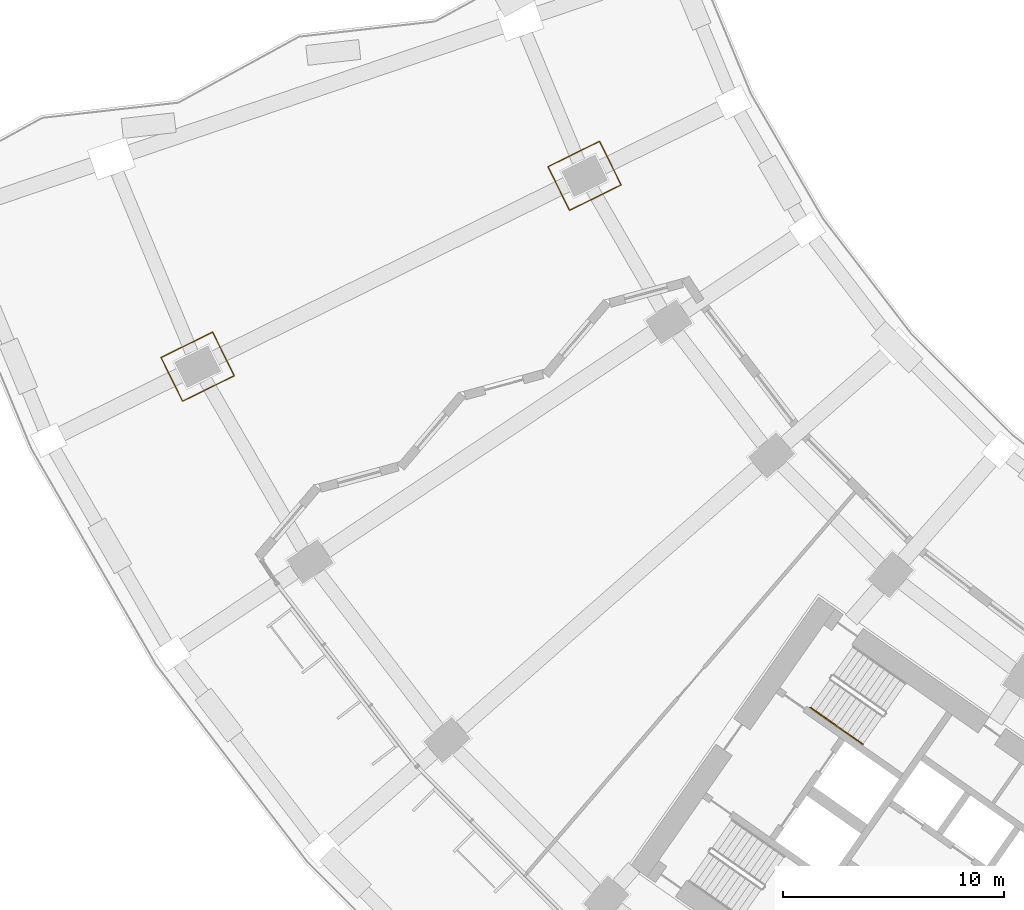
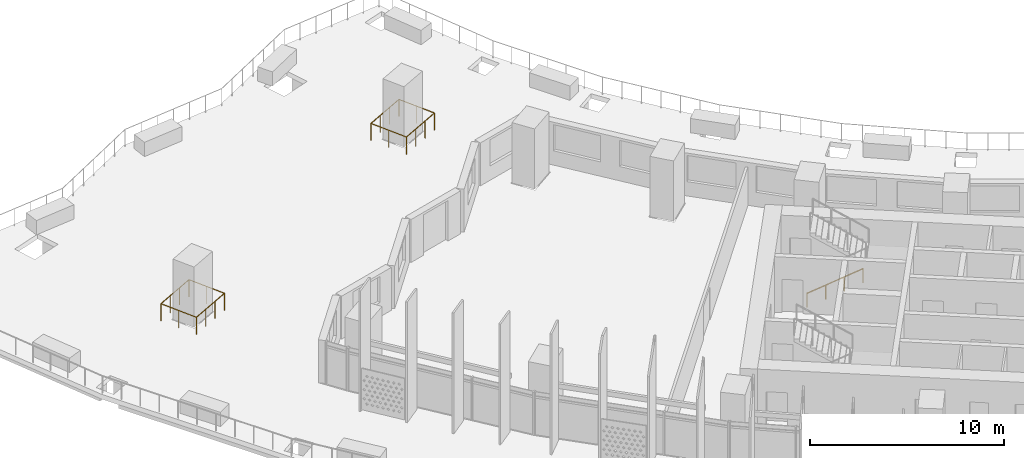
# One storey, part 27 of 35: 3 railings.
"""IFC4 building model written with IfcOpenShell, lengths in metres."""

from ifc_helpers import new_model, si_unit, direction, frame, origin, origin_2d, place, context, subcontext, project, spatial, circle, extrude, material, type_object, element, save


model = new_model("IFC4")

# Units and contexts
model_context = context("Model", 3, precision=1e-05, world=origin(), true_north=direction((0.0, 1.0)))
body_context = subcontext(model_context, "Body", "Model", "MODEL_VIEW")
ifc_project = project(units=[si_unit("LENGTHUNIT", "METRE"), si_unit("AREAUNIT", "SQUARE_METRE"), si_unit("VOLUMEUNIT", "CUBIC_METRE"), si_unit("PLANEANGLEUNIT", "RADIAN"), si_unit("MASSUNIT", "GRAM", prefix="KILO")], contexts=[model_context])

# Site, building, storey
site_placement = place(None, origin())
site = spatial("IfcSite", under=ifc_project, at=site_placement, CompositionType="ELEMENT")
building_placement = place(site_placement, origin())
building = spatial("IfcBuilding", under=site, at=building_placement, Name="Qamariyya Broadcast Tower", CompositionType="ELEMENT")
storey_placement = place(building_placement, frame((0.0, 0.0, 40.5)))
storey = spatial("IfcBuildingStorey", under=building, at=storey_placement, Name="L06", CompositionType="ELEMENT", Elevation=40.5)

# Railings
ifc_material_1 = material(Name="Stainless steel", Category="steel")
railing_type_1 = type_object("IfcRailingType", Name="Stair handrail", PredefinedType="HANDRAIL", material=ifc_material_1)
railing_1_placement = place(storey_placement, frame((-42.03564453125, -49.79443359375, 0.172607421875)))
element("IfcRailing", 1, at=railing_1_placement, inside=storey, type_object=railing_type_1, Name="L06 ST-W2 stair handrail 1", PredefinedType="HANDRAIL", context=body_context, shape_type="SweptSolid", body=[
    extrude(circle(Radius=0.02392578125, at=origin_2d()), frame((0.0, 0.0, 0.8759765625), z_axis=(0.703745009021, -0.492838488332, 0.511715923826), x_axis=(0.573631830683, 0.819113253969, 0.0)), (0.0, 0.0, 1.0), 3.37548828125),
    extrude(circle(Radius=0.02099609375, at=origin_2d()), origin(), (0.0, 0.0, 1.0), 0.851806640625),
    extrude(circle(Radius=0.02099609375, at=origin_2d()), frame((0.791748046875, -0.554443359375, 0.57568359375)), (0.0, 0.0, 1.0), 0.851806640625),
    extrude(circle(Radius=0.02099609375, at=origin_2d()), frame((1.583740234375, -1.109130859375, 1.151611328125)), (0.0, 0.0, 1.0), 0.851806640625),
    extrude(circle(Radius=0.02099609375, at=origin_2d()), frame((2.37548828125, -1.66357421875, 1.727294921875)), (0.0, 0.0, 1.0), 0.851806640625),
])
ifc_material_2 = material(Name="Stainless steel 316 with toughened glass infill", Category="steel")
railing_type_2 = type_object("IfcRailingType", Name="Terrace guard, glass and stainless steel", PredefinedType="GUARDRAIL", material=ifc_material_2)
railing_2_placement = place(storey_placement, frame((-70.411376953125, -35.949462890625, 0.0)))
element("IfcRailing", 2, at=railing_2_placement, inside=storey, type_object=railing_type_2, Name="e-r-L06-t0-pyl0", PredefinedType="GUARDRAIL", context=body_context, shape_type="SweptSolid", body=[
    extrude(circle(Radius=0.02392578125, at=origin_2d()), frame((0.0, 0.0, 1.076171875), z_axis=(-0.442324275547, 0.896855191914, 0.0), x_axis=(-0.896855191914, -0.442324275547, 0.0)), (0.0, 0.0, 1.0), 2.199951171875),
    extrude(circle(Radius=0.02392578125, at=origin_2d()), frame((-0.97314453125, 1.97314453125, 1.076171875), z_axis=(0.896892299018, 0.442249029352, 0.0), x_axis=(-0.442249029352, 0.896892299018, 0.0)), (0.0, 0.0, 1.0), 2.60009765625),
    extrude(circle(Radius=0.02392578125, at=origin_2d()), frame((1.35888671875, 3.123046875, 1.076171875), z_axis=(0.442235010773, -0.896899211309, 0.0), x_axis=(0.896899211309, 0.442235010773, 0.0)), (0.0, 0.0, 1.0), 2.199951171875),
    extrude(circle(Radius=0.02392578125, at=origin_2d()), frame((2.331787109375, 1.14990234375, 1.076171875), z_axis=(-0.89687393217, -0.442286275837, 0.0), x_axis=(0.442286275837, -0.89687393217, 0.0)), (0.0, 0.0, 1.0), 2.599853515625),
    extrude(circle(Radius=0.02099609375, at=origin_2d()), origin(), (0.0, 0.0, 1.0), 1.052001953125),
    extrude(circle(Radius=0.02099609375, at=origin_2d()), frame((-0.486572265625, 0.986572265625, 0.0)), (0.0, 0.0, 1.0), 1.052001953125),
    extrude(circle(Radius=0.02099609375, at=origin_2d()), frame((-0.97314453125, 1.97314453125, 0.0)), (0.0, 0.0, 1.0), 1.052001953125),
    extrude(circle(Radius=0.02099609375, at=origin_2d()), frame((-0.19580078125, 2.3564453125, 0.0)), (0.0, 0.0, 1.0), 1.052001953125),
    extrude(circle(Radius=0.02099609375, at=origin_2d()), frame((0.58154296875, 2.73974609375, 0.0)), (0.0, 0.0, 1.0), 1.052001953125),
    extrude(circle(Radius=0.02099609375, at=origin_2d()), frame((1.35888671875, 3.123046875, 0.0)), (0.0, 0.0, 1.0), 1.052001953125),
    extrude(circle(Radius=0.02099609375, at=origin_2d()), frame((1.84521484375, 2.136474609375, 0.0)), (0.0, 0.0, 1.0), 1.052001953125),
    extrude(circle(Radius=0.02099609375, at=origin_2d()), frame((2.331787109375, 1.14990234375, 0.0)), (0.0, 0.0, 1.0), 1.052001953125),
    extrude(circle(Radius=0.02099609375, at=origin_2d()), frame((1.554443359375, 0.7666015625, 0.0)), (0.0, 0.0, 1.0), 1.052001953125),
    extrude(circle(Radius=0.02099609375, at=origin_2d()), frame((0.77734375, 0.38330078125, 0.0)), (0.0, 0.0, 1.0), 1.052001953125),
])
railing_3_placement = place(storey_placement, frame((-52.92236328125, -27.324462890625, 0.0)))
element("IfcRailing", 3, at=railing_3_placement, inside=storey, type_object=railing_type_2, Name="e-r-L06-t0-pyl2", PredefinedType="GUARDRAIL", context=body_context, shape_type="SweptSolid", body=[
    extrude(circle(Radius=0.02392578125, at=origin_2d()), frame((0.0, 0.0, 1.076171875), z_axis=(-0.442324275547, 0.896855191914, 0.0), x_axis=(-0.896855191914, -0.442324275547, 0.0)), (0.0, 0.0, 1.0), 2.199951171875),
    extrude(circle(Radius=0.02392578125, at=origin_2d()), frame((-0.97314453125, 1.97314453125, 1.076171875), z_axis=(0.896892299018, 0.442249029352, 0.0), x_axis=(-0.442249029352, 0.896892299018, 0.0)), (0.0, 0.0, 1.0), 2.60009765625),
    extrude(circle(Radius=0.02392578125, at=origin_2d()), frame((1.35888671875, 3.123046875, 1.076171875), z_axis=(0.442235010773, -0.896899211309, 0.0), x_axis=(0.896899211309, 0.442235010773, 0.0)), (0.0, 0.0, 1.0), 2.199951171875),
    extrude(circle(Radius=0.02392578125, at=origin_2d()), frame((2.331787109375, 1.14990234375, 1.076171875), z_axis=(-0.89687393217, -0.442286275837, 0.0), x_axis=(0.442286275837, -0.89687393217, 0.0)), (0.0, 0.0, 1.0), 2.599853515625),
    extrude(circle(Radius=0.02099609375, at=origin_2d()), origin(), (0.0, 0.0, 1.0), 1.052001953125),
    extrude(circle(Radius=0.02099609375, at=origin_2d()), frame((-0.486572265625, 0.986572265625, 0.0)), (0.0, 0.0, 1.0), 1.052001953125),
    extrude(circle(Radius=0.02099609375, at=origin_2d()), frame((-0.97314453125, 1.97314453125, 0.0)), (0.0, 0.0, 1.0), 1.052001953125),
    extrude(circle(Radius=0.02099609375, at=origin_2d()), frame((-0.19580078125, 2.3564453125, 0.0)), (0.0, 0.0, 1.0), 1.052001953125),
    extrude(circle(Radius=0.02099609375, at=origin_2d()), frame((0.58154296875, 2.73974609375, 0.0)), (0.0, 0.0, 1.0), 1.052001953125),
    extrude(circle(Radius=0.02099609375, at=origin_2d()), frame((1.35888671875, 3.123046875, 0.0)), (0.0, 0.0, 1.0), 1.052001953125),
    extrude(circle(Radius=0.02099609375, at=origin_2d()), frame((1.84521484375, 2.136474609375, 0.0)), (0.0, 0.0, 1.0), 1.052001953125),
    extrude(circle(Radius=0.02099609375, at=origin_2d()), frame((2.331787109375, 1.14990234375, 0.0)), (0.0, 0.0, 1.0), 1.052001953125),
    extrude(circle(Radius=0.02099609375, at=origin_2d()), frame((1.554443359375, 0.7666015625, 0.0)), (0.0, 0.0, 1.0), 1.052001953125),
    extrude(circle(Radius=0.02099609375, at=origin_2d()), frame((0.77734375, 0.38330078125, 0.0)), (0.0, 0.0, 1.0), 1.052001953125),
])

save(model, "model.ifc")
